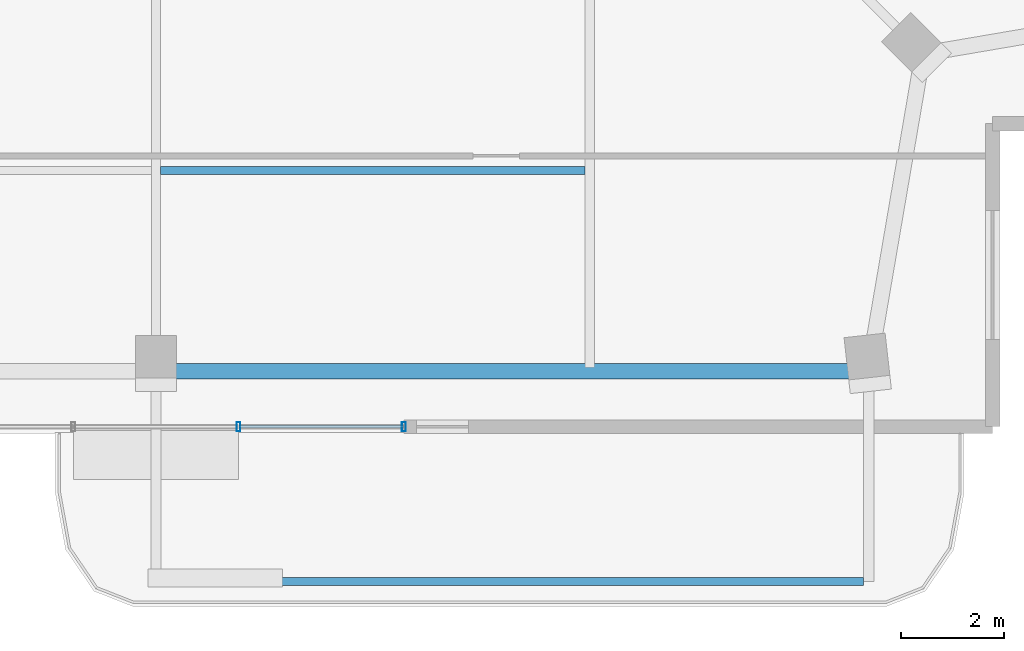
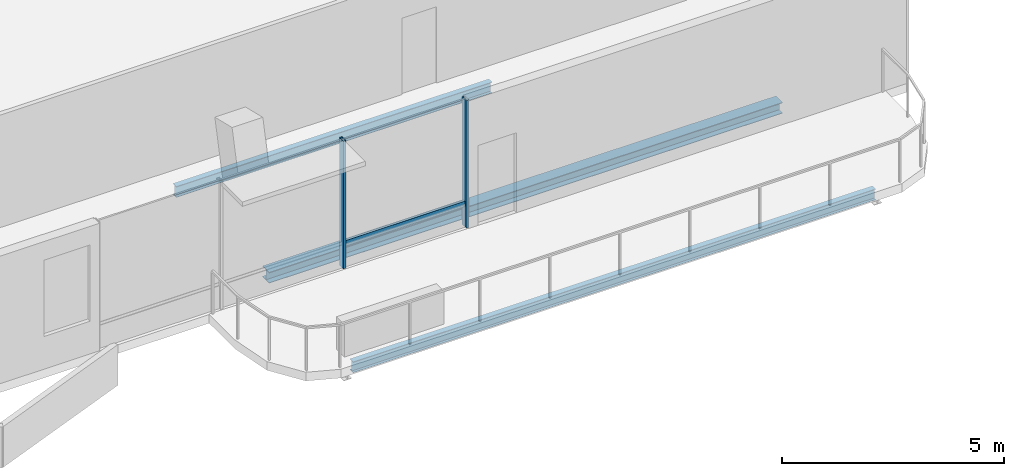
# One storey, part 3 of 19: 3 beams, 3 members, 1 element without a shape of its own.
"""IFC4 building model written with IfcOpenShell, lengths in metres."""

from ifc_helpers import new_model, si_unit, direction, frame, origin, origin_2d, place, context, subcontext, project, spatial, hollow_rectangle, i_section, extrude, material, layer, layer_set, material_profile, profile_set, type_object, element, aggregate, save


model = new_model("IFC4")

# Units and contexts
model_context = context("Model", 3, precision=1e-05, world=origin(), true_north=direction((0.0, 1.0)))
body_context = subcontext(model_context, "Body", "Model", "MODEL_VIEW")
ifc_project = project(units=[si_unit("LENGTHUNIT", "METRE"), si_unit("AREAUNIT", "SQUARE_METRE"), si_unit("VOLUMEUNIT", "CUBIC_METRE"), si_unit("PLANEANGLEUNIT", "RADIAN"), si_unit("MASSUNIT", "GRAM", prefix="KILO")], contexts=[model_context])

# Site, building, storey
site_placement = place(None, origin())
site = spatial("IfcSite", under=ifc_project, at=site_placement, CompositionType="ELEMENT")
building_placement = place(site_placement, origin())
building = spatial("IfcBuilding", under=site, at=building_placement, Name="Belovzor Exchange Tower", CompositionType="ELEMENT")
storey_placement = place(building_placement, frame((0.0, 0.0, 340.5)))
storey = spatial("IfcBuildingStorey", under=building, at=storey_placement, Name="L85", CompositionType="ELEMENT", Elevation=340.5)

# Beams
ifc_material_1 = material(Name="Steel S355", Category="steel")
ifc_material_profile_1 = material_profile(ifc_material_1, i_section(OverallWidth=0.14990234375, OverallDepth=0.300048828125, WebThickness=0.007080078125, FlangeThickness=0.0107421875, at=origin_2d()))
ifc_profile_set_1 = profile_set([ifc_material_profile_1], Name="Steel S355")
beam_type_1 = type_object("IfcBeamType", Name="Planted Balcony Fascia Edge Beam IPE 300", PredefinedType="BEAM", material=ifc_profile_set_1)
beam_1_placement = place(storey_placement, frame((28.89990234375, 3.72998046875, -0.389892578125), z_axis=(1.0, 0.0, 0.0), x_axis=(0.0, 1.0, 0.0)))
element("IfcBeam", 1, at=beam_1_placement, inside=storey, type_object=beam_type_1, Name="BC-300 Planted Balcony Fascia Edge Beam IPE 300", PredefinedType="BEAM", context=body_context, shape_type="SweptSolid", body=[
    extrude(i_section(OverallWidth=0.14990234375, OverallDepth=0.300048828125, WebThickness=0.007080078125, FlangeThickness=0.0107421875, at=origin_2d()), origin(), (0.0, 0.0, 1.0), 13.60009765625),
])
ifc_material_2 = material(Name="Steel S355", Category="steel")
ifc_material_profile_2 = material_profile(ifc_material_2, i_section(OverallWidth=0.14990234375, OverallDepth=0.300048828125, WebThickness=0.007080078125, FlangeThickness=0.0107421875, at=origin_2d()))
ifc_profile_set_2 = profile_set([ifc_material_profile_2], Name="Steel S355")
beam_type_2 = type_object("IfcBeamType", Name="Secondary Trim Floor Joist IPE 300", PredefinedType="BEAM", material=ifc_profile_set_2)
beam_2_placement = place(storey_placement, frame((28.889892578125, 11.69091796875, -0.389892578125), z_axis=(1.0, 0.0, 0.0), x_axis=(0.0, 1.0, 0.0)))
element("IfcBeam", 2, at=beam_2_placement, inside=storey, type_object=beam_type_2, Name="FJ-300 Secondary Trim Floor Joist IPE 300", PredefinedType="BEAM", context=body_context, shape_type="SweptSolid", body=[
    extrude(i_section(OverallWidth=0.14990234375, OverallDepth=0.300048828125, WebThickness=0.007080078125, FlangeThickness=0.0107421875, at=origin_2d()), origin(), (0.0, 0.0, 1.0), 8.22021484375),
])

# Curtain wall, members
ifc_material_3 = material(Name="Anodised Aluminium Framing", Category="aluminium")
ifc_layer = layer(ifc_material_3, 0.179931640625)
ifc_layer_set = layer_set([ifc_layer], Name="Anodised Aluminium Framing")
curtain_wall_type = type_object("IfcCurtainWallType", Name="Recessed Loggia Low-Iron Triple-Glazed Curtain Wall", PredefinedType="NOTDEFINED", material=ifc_layer_set)
curtain_wall_placement = place(storey_placement, origin())
curtain_wall = element("IfcCurtainWall", 3, at=curtain_wall_placement, inside=storey, type_object=curtain_wall_type, Name="CW3 Recessed Loggia Low-Iron Triple-Glazed Curtain Wall L85", PredefinedType="NOTDEFINED")
ifc_material_4 = material(Name="Steel S355", Category="steel")
ifc_material_profile_3 = material_profile(ifc_material_4, hollow_rectangle(XDim=0.074951171875, YDim=0.179931640625, WallThickness=0.0048828125, at=origin_2d()))
ifc_profile_set_3 = profile_set([ifc_material_profile_3], Name="Steel S355")
member_type_1 = type_object("IfcMemberType", Name="Thermally Broken Curtain Wall Mullion 180x75", PredefinedType="MULLION", material=ifc_profile_set_3)
member_1_placement = place(storey_placement, frame((33.60009765625, 6.72998046875, 0.0), z_axis=(0.0, 0.0, 1.0), x_axis=(-1.0, 0.0, 0.0)))
member_1 = element("IfcMember", 4, at=member_1_placement, type_object=member_type_1, Name="CW-M180 Curtain Wall Mullion 1", PredefinedType="MULLION", context=body_context, shape_type="SweptSolid", body=[
    extrude(hollow_rectangle(XDim=0.074951171875, YDim=0.179931640625, WallThickness=0.0048828125, at=origin_2d()), origin(), (0.0, 0.0, 1.0), 3.510009765625),
])
member_2_placement = place(storey_placement, frame((30.39990234375, 6.72998046875, 0.0), z_axis=(0.0, 0.0, 1.0), x_axis=(-1.0, 0.0, 0.0)))
member_2 = element("IfcMember", 5, at=member_2_placement, type_object=member_type_1, Name="CW-M180 Curtain Wall Mullion 2", PredefinedType="MULLION", context=body_context, shape_type="SweptSolid", body=[
    extrude(hollow_rectangle(XDim=0.074951171875, YDim=0.179931640625, WallThickness=0.0048828125, at=origin_2d()), origin(), (0.0, 0.0, 1.0), 3.510009765625),
])
ifc_material_5 = material(Name="Steel S355", Category="steel")
ifc_material_profile_4 = material_profile(ifc_material_5, hollow_rectangle(XDim=0.06005859375, YDim=0.14990234375, WallThickness=0.00390625, at=origin_2d()))
ifc_profile_set_4 = profile_set([ifc_material_profile_4], Name="Steel S355")
member_type_2 = type_object("IfcMemberType", Name="Thermally Broken Curtain Wall Transom 150x60", PredefinedType="USERDEFINED", material=ifc_profile_set_4)
member_3_placement = place(storey_placement, frame((33.592041015625, 6.72998046875, 0.632080078125), z_axis=(-1.0, 0.0, 0.0), x_axis=(0.0, -1.0, 0.0)))
member_3 = element("IfcMember", 6, at=member_3_placement, type_object=member_type_2, Name="CW-T150 Curtain Wall Transom 1", ObjectType="TRANSOM", PredefinedType="USERDEFINED", context=body_context, shape_type="SweptSolid", body=[
    extrude(hollow_rectangle(XDim=0.06005859375, YDim=0.14990234375, WallThickness=0.00390625, at=origin_2d()), origin(), (0.0, 0.0, 1.0), 3.18408203125),
])
aggregate(curtain_wall, [member_1, member_2, member_3])

# Beam
ifc_material_6 = material(Name="Steel S355", Category="steel")
ifc_material_profile_5 = material_profile(ifc_material_6, i_section(OverallWidth=0.300048828125, OverallDepth=0.300048828125, WebThickness=0.008544921875, FlangeThickness=0.013916015625, at=origin_2d()))
ifc_profile_set_5 = profile_set([ifc_material_profile_5], Name="Steel S355")
beam_type_3 = type_object("IfcBeamType", Name="Zone 6 Primary Girder HEA 300", PredefinedType="BEAM", material=ifc_profile_set_5)
beam_3_placement = place(storey_placement, frame((29.02001953125, 7.800048828125, -0.389892578125), z_axis=(1.0, 0.0, 0.0), x_axis=(0.0, 1.0, 0.0)))
element("IfcBeam", 7, at=beam_3_placement, inside=storey, type_object=beam_type_3, Name="FG-Z6 Zone 6 Primary Girder HEA 300", PredefinedType="BEAM", context=body_context, shape_type="SweptSolid", body=[
    extrude(i_section(OverallWidth=0.300048828125, OverallDepth=0.300048828125, WebThickness=0.008544921875, FlangeThickness=0.013916015625, at=origin_2d()), origin(), (0.0, 0.0, 1.0), 13.35986328125),
])

save(model, "model.ifc")
